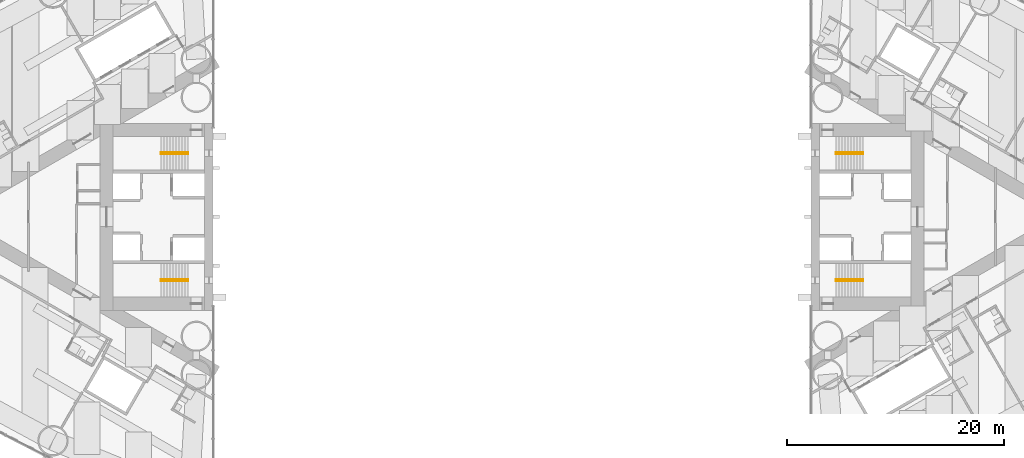
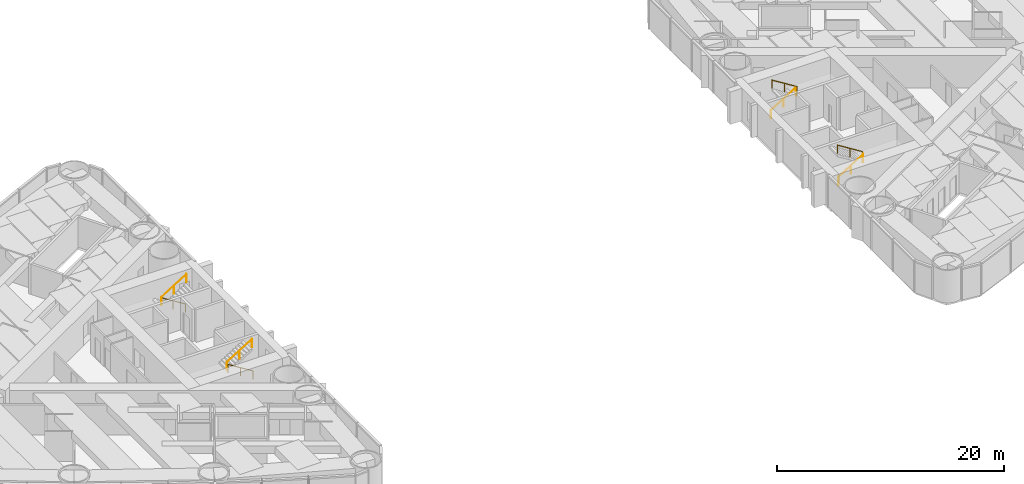
# One storey, part 18 of 19: 8 railings.
"""IFC4 building model written with IfcOpenShell, lengths in metres."""

from ifc_helpers import new_model, si_unit, direction, frame, origin, origin_2d, place, context, subcontext, project, spatial, circle, extrude, material, type_object, element, save


model = new_model("IFC4")

# Units and contexts
model_context = context("Model", 3, precision=1e-05, world=origin(), true_north=direction((0.0, 1.0)))
body_context = subcontext(model_context, "Body", "Model", "MODEL_VIEW")
ifc_project = project(units=[si_unit("LENGTHUNIT", "METRE"), si_unit("AREAUNIT", "SQUARE_METRE"), si_unit("VOLUMEUNIT", "CUBIC_METRE"), si_unit("PLANEANGLEUNIT", "RADIAN"), si_unit("MASSUNIT", "GRAM", prefix="KILO")], contexts=[model_context])

# Site, building, storey
site_placement = place(None, origin())
site = spatial("IfcSite", under=ifc_project, at=site_placement, CompositionType="ELEMENT")
building_placement = place(site_placement, origin())
building = spatial("IfcBuilding", under=site, at=building_placement, Name="Lancet Gate Hotel", CompositionType="ELEMENT")
storey_placement = place(building_placement, frame((0.0, 0.0, 60.0)))
storey = spatial("IfcBuildingStorey", under=building, at=storey_placement, Name="L15", CompositionType="ELEMENT", Elevation=60.0)

# Railings
ifc_material = material(Name="Stainless steel handrail", Category="steel")
railing_type = type_object("IfcRailingType", Name="Stair handrail 900", PredefinedType="HANDRAIL", material=ifc_material)
railing_1_placement = place(storey_placement, frame((-29.800048828125, 5.929931640625, 0.175048828125)))
element("IfcRailing", 1, at=railing_1_placement, inside=storey, type_object=railing_type, Name="ST1 handrail flight 1 L15", PredefinedType="HANDRAIL", context=body_context, shape_type="SweptSolid", body=[
    extrude(circle(Radius=0.02392578125, at=origin_2d()), frame((0.0, 0.0, 0.8759765625), z_axis=(-0.848007534815, 0.0, 0.529984170421), x_axis=(0.0, -1.0, 0.0)), (0.0, 0.0, 1.0), 2.9716796875),
    extrude(circle(Radius=0.02099609375, at=origin_2d()), origin(), (0.0, 0.0, 1.0), 0.851806640625),
    extrude(circle(Radius=0.02099609375, at=origin_2d()), frame((-1.260009765625, 0.0, 0.78759765625)), (0.0, 0.0, 1.0), 0.851806640625),
    extrude(circle(Radius=0.02099609375, at=origin_2d()), frame((-2.52001953125, 0.0, 1.574951171875)), (0.0, 0.0, 1.0), 0.851806640625),
])
railing_2_placement = place(storey_placement, frame((-32.320068359375, 5.77001953125, 1.925048828125)))
element("IfcRailing", 2, at=railing_2_placement, inside=storey, type_object=railing_type, Name="ST1 handrail flight 2 L15", PredefinedType="HANDRAIL", context=body_context, shape_type="SweptSolid", body=[
    extrude(circle(Radius=0.02392578125, at=origin_2d()), frame((0.0, 0.0, 0.8759765625), z_axis=(0.848007534815, 0.0, 0.529984170421), x_axis=(0.0, 1.0, 0.0)), (0.0, 0.0, 1.0), 2.9716796875),
    extrude(circle(Radius=0.02099609375, at=origin_2d()), origin(), (0.0, 0.0, 1.0), 0.851806640625),
    extrude(circle(Radius=0.02099609375, at=origin_2d()), frame((1.260009765625, 0.0, 0.78759765625)), (0.0, 0.0, 1.0), 0.851806640625),
    extrude(circle(Radius=0.02099609375, at=origin_2d()), frame((2.52001953125, 0.0, 1.574951171875)), (0.0, 0.0, 1.0), 0.851806640625),
])
railing_3_placement = place(storey_placement, frame((-29.800048828125, -5.929931640625, 0.175048828125)))
element("IfcRailing", 3, at=railing_3_placement, inside=storey, type_object=railing_type, Name="ST2 handrail flight 1 L15", PredefinedType="HANDRAIL", context=body_context, shape_type="SweptSolid", body=[
    extrude(circle(Radius=0.02392578125, at=origin_2d()), frame((0.0, 0.0, 0.8759765625), z_axis=(-0.848007534815, 0.0, 0.529984170421), x_axis=(0.0, -1.0, 0.0)), (0.0, 0.0, 1.0), 2.9716796875),
    extrude(circle(Radius=0.02099609375, at=origin_2d()), origin(), (0.0, 0.0, 1.0), 0.851806640625),
    extrude(circle(Radius=0.02099609375, at=origin_2d()), frame((-1.260009765625, 0.0, 0.78759765625)), (0.0, 0.0, 1.0), 0.851806640625),
    extrude(circle(Radius=0.02099609375, at=origin_2d()), frame((-2.52001953125, 0.0, 1.574951171875)), (0.0, 0.0, 1.0), 0.851806640625),
])
for number, where, name in (
    (4, (-32.320068359375, -5.77001953125, 1.925048828125), "ST2 handrail flight 2 L15"),
    (5, (29.800048828125, -5.929931640625, 0.175048828125), "ST3 handrail flight 1 L15"),
):
    element("IfcRailing", number, at=place(storey_placement, frame(where)), inside=storey, type_object=railing_type, Name=name, PredefinedType="HANDRAIL", context=body_context, shape_type="SweptSolid", body=[
        extrude(circle(Radius=0.02392578125, at=origin_2d()), frame((0.0, 0.0, 0.8759765625), z_axis=(0.848007534815, 0.0, 0.529984170421), x_axis=(0.0, 1.0, 0.0)), (0.0, 0.0, 1.0), 2.9716796875),
        extrude(circle(Radius=0.02099609375, at=origin_2d()), origin(), (0.0, 0.0, 1.0), 0.851806640625),
        extrude(circle(Radius=0.02099609375, at=origin_2d()), frame((1.260009765625, 0.0, 0.78759765625)), (0.0, 0.0, 1.0), 0.851806640625),
        extrude(circle(Radius=0.02099609375, at=origin_2d()), frame((2.52001953125, 0.0, 1.574951171875)), (0.0, 0.0, 1.0), 0.851806640625),
    ])
railing_4_placement = place(storey_placement, frame((32.320068359375, -5.77001953125, 1.925048828125)))
element("IfcRailing", 6, at=railing_4_placement, inside=storey, type_object=railing_type, Name="ST3 handrail flight 2 L15", PredefinedType="HANDRAIL", context=body_context, shape_type="SweptSolid", body=[
    extrude(circle(Radius=0.02392578125, at=origin_2d()), frame((0.0, 0.0, 0.8759765625), z_axis=(-0.848007534815, 0.0, 0.529984170421), x_axis=(0.0, -1.0, 0.0)), (0.0, 0.0, 1.0), 2.9716796875),
    extrude(circle(Radius=0.02099609375, at=origin_2d()), origin(), (0.0, 0.0, 1.0), 0.851806640625),
    extrude(circle(Radius=0.02099609375, at=origin_2d()), frame((-1.260009765625, 0.0, 0.78759765625)), (0.0, 0.0, 1.0), 0.851806640625),
    extrude(circle(Radius=0.02099609375, at=origin_2d()), frame((-2.52001953125, 0.0, 1.574951171875)), (0.0, 0.0, 1.0), 0.851806640625),
])
railing_5_placement = place(storey_placement, frame((29.800048828125, 5.929931640625, 0.175048828125)))
element("IfcRailing", 7, at=railing_5_placement, inside=storey, type_object=railing_type, Name="ST4 handrail flight 1 L15", PredefinedType="HANDRAIL", context=body_context, shape_type="SweptSolid", body=[
    extrude(circle(Radius=0.02392578125, at=origin_2d()), frame((0.0, 0.0, 0.8759765625), z_axis=(0.848007534815, 0.0, 0.529984170421), x_axis=(0.0, 1.0, 0.0)), (0.0, 0.0, 1.0), 2.9716796875),
    extrude(circle(Radius=0.02099609375, at=origin_2d()), origin(), (0.0, 0.0, 1.0), 0.851806640625),
    extrude(circle(Radius=0.02099609375, at=origin_2d()), frame((1.260009765625, 0.0, 0.78759765625)), (0.0, 0.0, 1.0), 0.851806640625),
    extrude(circle(Radius=0.02099609375, at=origin_2d()), frame((2.52001953125, 0.0, 1.574951171875)), (0.0, 0.0, 1.0), 0.851806640625),
])
railing_6_placement = place(storey_placement, frame((32.320068359375, 5.77001953125, 1.925048828125)))
element("IfcRailing", 8, at=railing_6_placement, inside=storey, type_object=railing_type, Name="ST4 handrail flight 2 L15", PredefinedType="HANDRAIL", context=body_context, shape_type="SweptSolid", body=[
    extrude(circle(Radius=0.02392578125, at=origin_2d()), frame((0.0, 0.0, 0.8759765625), z_axis=(-0.848007534815, 0.0, 0.529984170421), x_axis=(0.0, -1.0, 0.0)), (0.0, 0.0, 1.0), 2.9716796875),
    extrude(circle(Radius=0.02099609375, at=origin_2d()), origin(), (0.0, 0.0, 1.0), 0.851806640625),
    extrude(circle(Radius=0.02099609375, at=origin_2d()), frame((-1.260009765625, 0.0, 0.78759765625)), (0.0, 0.0, 1.0), 0.851806640625),
    extrude(circle(Radius=0.02099609375, at=origin_2d()), frame((-2.52001953125, 0.0, 1.574951171875)), (0.0, 0.0, 1.0), 0.851806640625),
])

save(model, "model.ifc")
